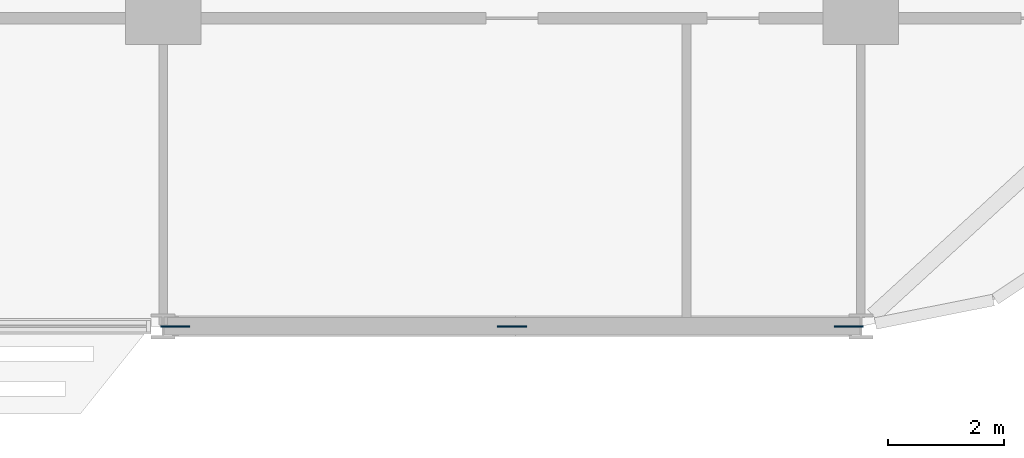
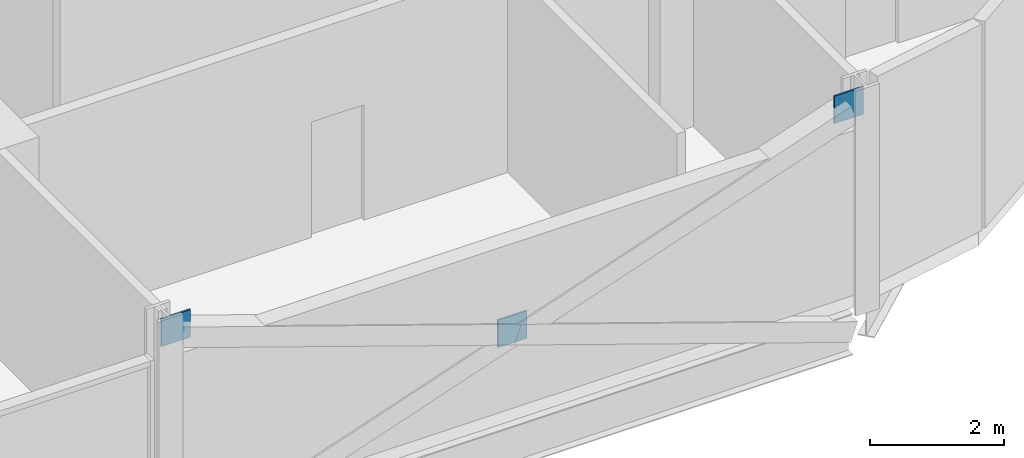
# One storey, part 23 of 29: 3 discrete accessories.
"""IFC4 building model written with IfcOpenShell, lengths in metres."""

from ifc_helpers import new_model, si_unit, direction, frame, origin, origin_2d, place, context, subcontext, project, spatial, rectangle, extrude, material, layer, layer_set, type_object, element, save


model = new_model("IFC4")

# Units and contexts
model_context = context("Model", 3, precision=1e-05, world=origin(), true_north=direction((0.0, 1.0)))
body_context = subcontext(model_context, "Body", "Model", "MODEL_VIEW")
ifc_project = project(units=[si_unit("LENGTHUNIT", "METRE"), si_unit("AREAUNIT", "SQUARE_METRE"), si_unit("VOLUMEUNIT", "CUBIC_METRE"), si_unit("PLANEANGLEUNIT", "RADIAN"), si_unit("MASSUNIT", "GRAM", prefix="KILO")], contexts=[model_context])

# Site, building, storey
site_placement = place(None, origin())
site = spatial("IfcSite", under=ifc_project, at=site_placement, CompositionType="ELEMENT")
building_placement = place(site_placement, origin())
building = spatial("IfcBuilding", under=site, at=building_placement, Name="Mahtab Terrace Research Tower", CompositionType="ELEMENT")
storey_placement = place(building_placement, frame((0.0, 0.0, 142.5)))
storey = spatial("IfcBuildingStorey", under=building, at=storey_placement, Name="L33", CompositionType="ELEMENT", Elevation=142.5)

# Discrete accessories
ifc_material = material(Name="Steel ASTM A992 Gr 50", Category="steel")
ifc_layer = layer(ifc_material, 0.030029296875)
ifc_layer_set = layer_set([ifc_layer], Name="Gusset plate 500x500x30")
discrete_accessory_type = type_object("IfcDiscreteAccessoryType", Name="Gusset plate 500x500x30", PredefinedType="USERDEFINED", material=ifc_layer_set)
for number, where, z_axis, x_axis, name in (
    (1, (30.205810546875, -17.0, 3.131591796875), (0.0, 0.0, 1.0), (1.0, 0.0, 0.0), "Gusset plate"),
    (2, (36.0, -17.0, 1.08154296875), (0.0, 0.0, 1.0), (1.0, 0.0, 0.0), "Gusset plate"),
    (3, (41.794189453125, -17.0, 3.131591796875), (0.0, 0.0, 1.0), (1.0, 0.0, 0.0), "Gusset plate"),
):
    element("IfcDiscreteAccessory", number, at=place(storey_placement, frame(where, z_axis=z_axis, x_axis=x_axis)), inside=storey, type_object=discrete_accessory_type, Name=name, ObjectType="GUSSET PLATE", PredefinedType="USERDEFINED", context=body_context, shape_type="SweptSolid", body=[
        extrude(rectangle(XDim=0.5, YDim=0.030029296875, at=origin_2d()), origin(), (0.0, 0.0, 1.0), 0.5),
    ])

save(model, "model.ifc")
